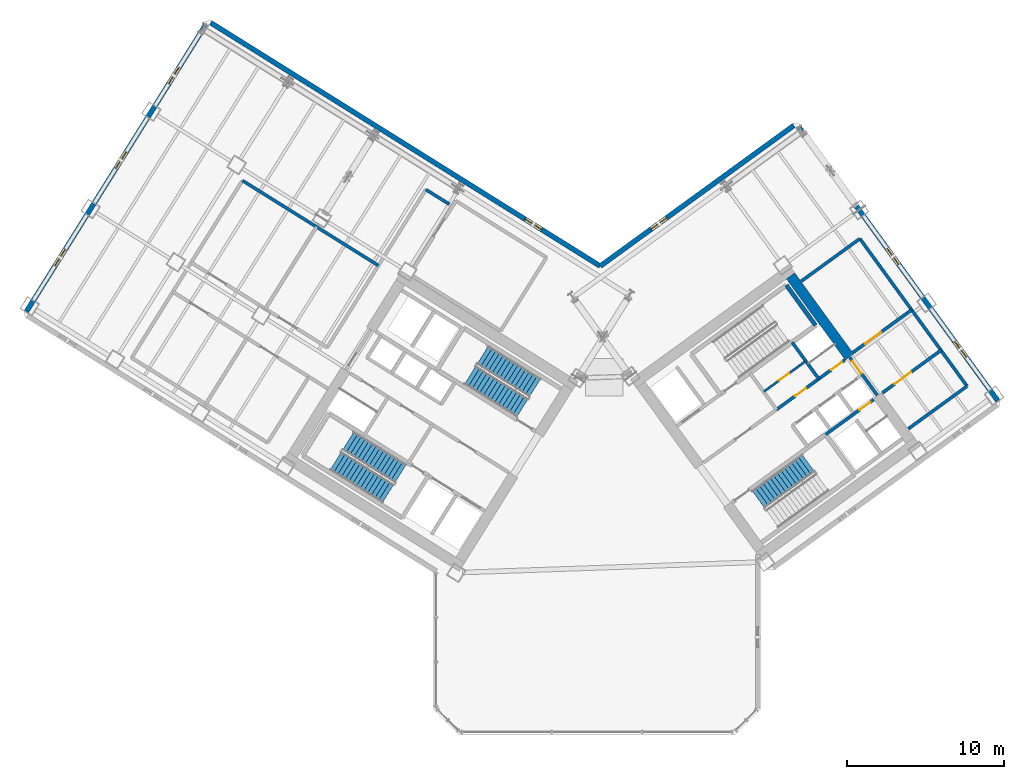
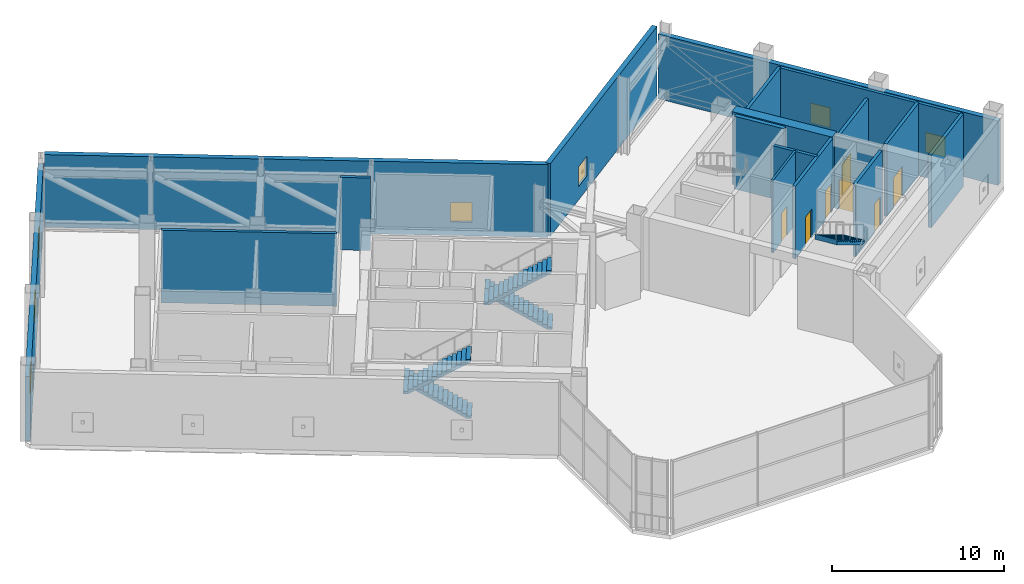
# One storey, part 16 of 21: 18 walls, 7 doors, 7 windows, 5 stair flights, 14 openings, 3 elements without a shape of their own.
"""IFC4 building model written with IfcOpenShell, lengths in metres."""

from ifc_helpers import new_model, si_unit, direction, frame, frame_2d, origin, place, context, subcontext, project, spatial, polyline, rectangle, outline, extrude, source, transform, mapped, material, layer, layer_set, type_object, element, fill, aggregate, save


model = new_model("IFC4")

# Units and contexts
model_context = context("Model", 3, precision=1e-05, world=origin(), true_north=direction((0.0, 1.0)))
body_context = subcontext(model_context, "Body", "Model", "MODEL_VIEW")
ifc_project = project(units=[si_unit("LENGTHUNIT", "METRE"), si_unit("AREAUNIT", "SQUARE_METRE"), si_unit("VOLUMEUNIT", "CUBIC_METRE"), si_unit("PLANEANGLEUNIT", "RADIAN"), si_unit("MASSUNIT", "GRAM", prefix="KILO")], contexts=[model_context])

# Site, building, storey
site_placement = place(None, origin())
site = spatial("IfcSite", under=ifc_project, at=site_placement, CompositionType="ELEMENT")
building_placement = place(site_placement, origin())
building = spatial("IfcBuilding", under=site, at=building_placement, Name="Tlacorven Tower", CompositionType="ELEMENT")
storey_placement = place(building_placement, frame((0.0, 0.0, 84.60009765625)))
storey = spatial("IfcBuildingStorey", under=building, at=storey_placement, Name="L21", CompositionType="ELEMENT", Elevation=84.60009765625)

# Wall
ifc_material_1 = material(Name="Concrete C60/75", Category="concrete")
ifc_layer_1 = layer(ifc_material_1, 0.64990234375)
ifc_layer_set_1 = layer_set([ifc_layer_1], Name="Concrete C60/75")
wall_type_1 = type_object("IfcWallType", Name="WL-COR-650", PredefinedType="SHEAR", material=ifc_layer_set_1)
wall_1_placement = place(storey_placement, frame((58.06396484375, 25.8134765625, 0.0), z_axis=(0.0, 0.0, 1.0), x_axis=(-0.58777996584, 0.809020835181, 0.0)))
element("IfcWall", 1, at=wall_1_placement, inside=storey, type_object=wall_type_1, Name="L21 E core end wall E2.2", PredefinedType="SHEAR", context=body_context, shape_type="SweptSolid", body=[
    extrude(rectangle(XDim=6.375, YDim=0.64990234375, at=frame_2d((3.1875, 0.0))), origin(), (0.0, 0.0, 1.0), 5.14990234375),
])

# Wall, openings, windows
ifc_material_2 = material(Name="Precast concrete C45/55", Category="concrete")
ifc_layer_2 = layer(ifc_material_2, 0.320068359375)
ifc_layer_set_2 = layer_set([ifc_layer_2], Name="Precast concrete C45/55")
wall_type_2 = type_object("IfcWallType", Name="WL-EXT-320", PredefinedType="STANDARD", material=ifc_layer_set_2)
wall_2_placement = place(storey_placement, frame((5.699951171875, 28.71044921875, 0.0), z_axis=(0.0, 0.0, 1.0), x_axis=(0.529923711467, 0.8480453172, 0.0)))
wall_2 = element("IfcWall", 2, at=wall_2_placement, inside=storey, type_object=wall_type_2, Name="L21 Masonry-Frame Recessed Facade Wall 2", PredefinedType="STANDARD", context=body_context, shape_type="SweptSolid", body=[
    extrude(rectangle(XDim=21.58740234375, YDim=0.320068359375, at=frame_2d((10.793701171875, 0.0))), origin(), (0.0, 0.0, 1.0), 4.574951171875),
])
opening_1_placement = place(wall_2_placement, frame((3.418701171875, 0.0, 0.949951171875)))
opening_1 = element("IfcOpeningElement", 3, at=opening_1_placement, cuts=wall_2, Name="Opening WN20", PredefinedType="OPENING", context=body_context, shape_type="SweptSolid", body=[
    extrude(rectangle(XDim=1.25, YDim=1.39990234375, at=frame_2d((0.625, 0.699951171875))), frame((0.0, 0.169921875, 0.0), z_axis=(0.0, -1.0, 0.0), x_axis=(1.0, 0.0, 0.0)), (0.0, 0.0, 1.0), 0.340087890625),
])
opening_2_placement = place(wall_2_placement, frame((10.71875, 0.0, 0.949951171875)))
opening_2 = element("IfcOpeningElement", 4, at=opening_2_placement, cuts=wall_2, Name="Opening WN20", PredefinedType="OPENING", context=body_context, shape_type="SweptSolid", body=[
    extrude(rectangle(XDim=1.25, YDim=1.39990234375, at=frame_2d((0.625, 0.699951171875))), frame((0.0, 0.169921875, 0.0), z_axis=(0.0, -1.0, 0.0), x_axis=(1.0, 0.0, 0.0)), (0.0, 0.0, 1.0), 0.340087890625),
])
opening_3_placement = place(wall_2_placement, frame((17.068603515625, 0.0, 0.949951171875)))
opening_3 = element("IfcOpeningElement", 5, at=opening_3_placement, cuts=wall_2, Name="Opening WN20", PredefinedType="OPENING", context=body_context, shape_type="SweptSolid", body=[
    extrude(rectangle(XDim=1.25, YDim=1.39990234375, at=frame_2d((0.625, 0.699951171875))), frame((0.0, 0.169921875, 0.0), z_axis=(0.0, -1.0, 0.0), x_axis=(1.0, 0.0, 0.0)), (0.0, 0.0, 1.0), 0.340087890625),
])
ifc_material_3 = material(Name="Dark solar low-E double glazing in anodised aluminium frame", Category="aluminium")
window_type = type_object("IfcWindowType", Name="WN-CRN-1250X1500", PartitioningType="SINGLE_PANEL", PredefinedType="WINDOW", material=ifc_material_3)
shared_shape_1 = source(origin(), body_context, "Body", "SweptSolid", [
    extrude(rectangle(XDim=1.25, YDim=1.39990234375, at=frame_2d((0.625, 0.699951171875))), frame((0.0, 0.030029296875, 0.0), z_axis=(0.0, -1.0, 0.0), x_axis=(1.0, 0.0, 0.0)), (0.0, 0.0, 1.0), 0.06005859375),
])
window_1_placement = place(opening_1_placement, origin())
window_1 = element("IfcWindow", 6, at=window_1_placement, inside=storey, type_object=window_type, Name="L21 Acoustic Plant Facade Window 2.1", OverallHeight=1.39990234375, OverallWidth=1.25, PartitioningType="SINGLE_PANEL", PredefinedType="WINDOW", context=body_context, shape_type="MappedRepresentation", body=[
    mapped(shared_shape_1, transform((0.0, 0.0, 0.0), scale=1.0)),
])
fill(opening_1, window_1)
window_2_placement = place(opening_2_placement, origin())
window_2 = element("IfcWindow", 7, at=window_2_placement, inside=storey, type_object=window_type, Name="L21 Acoustic Plant Facade Window 2.2", OverallHeight=1.39990234375, OverallWidth=1.25, PartitioningType="SINGLE_PANEL", PredefinedType="WINDOW", context=body_context, shape_type="MappedRepresentation", body=[
    mapped(shared_shape_1, transform((0.0, 0.0, 0.0), scale=1.0)),
])
fill(opening_2, window_2)
window_3_placement = place(opening_3_placement, origin())
window_3 = element("IfcWindow", 8, at=window_3_placement, inside=storey, type_object=window_type, Name="L21 Acoustic Plant Facade Window 2.3", OverallHeight=1.39990234375, OverallWidth=1.25, PartitioningType="SINGLE_PANEL", PredefinedType="WINDOW", context=body_context, shape_type="MappedRepresentation", body=[
    mapped(shared_shape_1, transform((0.0, 0.0, 0.0), scale=1.0)),
])
fill(opening_3, window_3)

# Wall, opening, window
wall_3_placement = place(storey_placement, frame((17.423828125, 47.083251953125, 0.0), z_axis=(0.0, 0.0, 1.0), x_axis=(0.848049927979, -0.529916332693, 0.0)))
wall_3 = element("IfcWall", 9, at=wall_3_placement, inside=storey, type_object=wall_type_2, Name="L21 Masonry-Frame Recessed Facade Wall 3", PredefinedType="STANDARD", context=body_context, shape_type="SweptSolid", body=[
    extrude(rectangle(XDim=29.22314453125, YDim=0.320068359375, at=frame_2d((14.611572265625, 0.0))), origin(), (0.0, 0.0, 1.0), 5.14990234375),
])
opening_4_placement = place(wall_3_placement, frame((23.578857421875, 0.0, 0.949951171875)))
opening_4 = element("IfcOpeningElement", 10, at=opening_4_placement, cuts=wall_3, Name="Opening WN20", PredefinedType="OPENING", context=body_context, shape_type="SweptSolid", body=[
    extrude(rectangle(XDim=1.25, YDim=1.39990234375, at=frame_2d((0.625, 0.699951171875))), frame((0.0, 0.169921875, 0.0), z_axis=(0.0, -1.0, 0.0), x_axis=(1.0, 0.0, 0.0)), (0.0, 0.0, 1.0), 0.340087890625),
])
window_4_placement = place(opening_4_placement, origin())
window_4 = element("IfcWindow", 11, at=window_4_placement, inside=storey, type_object=window_type, Name="L21 Acoustic Plant Facade Window 3.1", OverallHeight=1.39990234375, OverallWidth=1.25, PartitioningType="SINGLE_PANEL", PredefinedType="WINDOW", context=body_context, shape_type="MappedRepresentation", body=[
    mapped(shared_shape_1, transform((0.0, 0.0, 0.0), scale=1.0)),
])
fill(opening_4, window_4)

wall_4_placement = place(storey_placement, frame((42.20654296875, 31.597412109375, 0.0), z_axis=(0.0, 0.0, 1.0), x_axis=(0.809020333377, 0.587780656523, 0.0)))
wall_4 = element("IfcWall", 12, at=wall_4_placement, inside=storey, type_object=wall_type_2, Name="L21 Masonry-Frame Recessed Facade Wall 4", PredefinedType="STANDARD", context=body_context, shape_type="SweptSolid", body=[
    extrude(rectangle(XDim=15.222900390625, YDim=0.320068359375, at=frame_2d((7.611328125, 0.0))), origin(), (0.0, 0.0, 1.0), 5.14990234375),
])
opening_5_placement = place(wall_4_placement, frame((3.992919921875, 0.0, 0.949951171875)))
opening_5 = element("IfcOpeningElement", 13, at=opening_5_placement, cuts=wall_4, Name="Opening WN20", PredefinedType="OPENING", context=body_context, shape_type="SweptSolid", body=[
    extrude(rectangle(XDim=1.25, YDim=1.39990234375, at=frame_2d((0.625, 0.699951171875))), frame((0.0, 0.169921875, 0.0), z_axis=(0.0, -1.0, 0.0), x_axis=(1.0, 0.0, 0.0)), (0.0, 0.0, 1.0), 0.340087890625),
])
window_5_placement = place(opening_5_placement, origin())
window_5 = element("IfcWindow", 14, at=window_5_placement, inside=storey, type_object=window_type, Name="L21 Acoustic Plant Facade Window 4.1", OverallHeight=1.39990234375, OverallWidth=1.25, PartitioningType="SINGLE_PANEL", PredefinedType="WINDOW", context=body_context, shape_type="MappedRepresentation", body=[
    mapped(shared_shape_1, transform((0.0, 0.0, 0.0), scale=1.0)),
])
fill(opening_5, window_5)

# Wall, openings, windows
wall_5_placement = place(storey_placement, frame((54.810302734375, 40.49951171875, 0.0), z_axis=(0.0, 0.0, 1.0), x_axis=(0.587783625747, -0.809018176127, 0.0)))
wall_5 = element("IfcWall", 15, at=wall_5_placement, inside=storey, type_object=wall_type_2, Name="L21 Masonry-Frame Recessed Facade Wall 5", PredefinedType="STANDARD", context=body_context, shape_type="SweptSolid", body=[
    extrude(rectangle(XDim=21.58740234375, YDim=0.320068359375, at=frame_2d((10.793701171875, 0.0))), origin(), (0.0, 0.0, 1.0), 4.574951171875),
])
opening_6_placement = place(wall_5_placement, frame((9.61865234375, 0.0, 0.949951171875)))
opening_6 = element("IfcOpeningElement", 16, at=opening_6_placement, cuts=wall_5, Name="Opening WN20", PredefinedType="OPENING", context=body_context, shape_type="SweptSolid", body=[
    extrude(rectangle(XDim=1.25, YDim=1.39990234375, at=frame_2d((0.625, 0.699951171875))), frame((0.0, 0.169921875, 0.0), z_axis=(0.0, -1.0, 0.0), x_axis=(1.0, 0.0, 0.0)), (0.0, 0.0, 1.0), 0.340087890625),
])
opening_7_placement = place(wall_5_placement, frame((16.918701171875, 0.0, 0.949951171875)))
opening_7 = element("IfcOpeningElement", 17, at=opening_7_placement, cuts=wall_5, Name="Opening WN20", PredefinedType="OPENING", context=body_context, shape_type="SweptSolid", body=[
    extrude(rectangle(XDim=1.25, YDim=1.39990234375, at=frame_2d((0.625, 0.699951171875))), frame((0.0, 0.169921875, 0.0), z_axis=(0.0, -1.0, 0.0), x_axis=(1.0, 0.0, 0.0)), (0.0, 0.0, 1.0), 0.340087890625),
])
window_6_placement = place(opening_6_placement, origin())
window_6 = element("IfcWindow", 18, at=window_6_placement, inside=storey, type_object=window_type, Name="L21 Acoustic Plant Facade Window 5.1", OverallHeight=1.39990234375, OverallWidth=1.25, PartitioningType="SINGLE_PANEL", PredefinedType="WINDOW", context=body_context, shape_type="MappedRepresentation", body=[
    mapped(shared_shape_1, transform((0.0, 0.0, 0.0), scale=1.0)),
])
fill(opening_6, window_6)
window_7_placement = place(opening_7_placement, origin())
window_7 = element("IfcWindow", 19, at=window_7_placement, inside=storey, type_object=window_type, Name="L21 Acoustic Plant Facade Window 5.2", OverallHeight=1.39990234375, OverallWidth=1.25, PartitioningType="SINGLE_PANEL", PredefinedType="WINDOW", context=body_context, shape_type="MappedRepresentation", body=[
    mapped(shared_shape_1, transform((0.0, 0.0, 0.0), scale=1.0)),
])
fill(opening_7, window_7)

# Wall, opening, door
ifc_material_4 = material(Name="Moisture-resistant gypsum plumbing wall", Category="gypsum")
ifc_layer_3 = layer(ifc_material_4, 0.139892578125)
ifc_layer_set_3 = layer_set([ifc_layer_3], Name="Moisture-resistant gypsum plumbing wall")
wall_type_3 = type_object("IfcWallType", Name="WL-PLM-140", PredefinedType="PLUMBINGWALL", material=ifc_layer_set_3)
wall_6_placement = place(storey_placement, frame((52.617919921875, 23.612060546875, 0.0), z_axis=(0.0, 0.0, 1.0), x_axis=(0.809009587469, 0.587795446889, 0.0)))
wall_6 = element("IfcWall", 20, at=wall_6_placement, inside=storey, type_object=wall_type_3, Name="L21 partition 45", PredefinedType="PLUMBINGWALL", context=body_context, shape_type="SweptSolid", body=[
    extrude(rectangle(XDim=3.280029296875, YDim=0.139892578125, at=frame_2d((1.64013671875, 0.0))), origin(), (0.0, 0.0, 1.0), 5.139892578125),
])
opening_8_placement = place(wall_6_placement, frame((1.199951171875, 0.0, 0.0)))
opening_8 = element("IfcOpeningElement", 21, at=opening_8_placement, cuts=wall_6, Name="Opening D22", PredefinedType="OPENING", context=body_context, shape_type="SweptSolid", body=[
    extrude(rectangle(XDim=0.780029296875, YDim=2.050048828125, at=frame_2d((0.39013671875, 1.02490234375))), frame((0.0, 0.080078125, 0.0), z_axis=(0.0, -1.0, 0.0), x_axis=(1.0, 0.0, 0.0)), (0.0, 0.0, 1.0), 0.159912109375),
])
ifc_material_5 = material(Name="Powder-coated aluminium and timber door", Category="wood")
door_type_1 = type_object("IfcDoorType", Name="DR-INT-WET-0780", OperationType="NOTDEFINED", PredefinedType="DOOR", material=ifc_material_5)
shared_shape_2 = source(origin(), body_context, "Body", "SweptSolid", [
    extrude(rectangle(XDim=0.780029296875, YDim=2.050048828125, at=frame_2d((0.39013671875, 1.02490234375))), frame((0.0, 0.02490234375, 0.0), z_axis=(0.0, -1.0, 0.0), x_axis=(1.0, 0.0, 0.0)), (0.0, 0.0, 1.0), 0.050048828125),
])
door_1_placement = place(opening_8_placement, origin())
door_1 = element("IfcDoor", 22, at=door_1_placement, inside=storey, type_object=door_type_1, Name="L21 door 018", OperationType="SINGLE_SWING_RIGHT", OverallHeight=2.050048828125, OverallWidth=0.780029296875, PredefinedType="DOOR", context=body_context, shape_type="MappedRepresentation", body=[
    mapped(shared_shape_2, transform((0.0, 0.0, 0.0), scale=1.0)),
])
fill(opening_8, door_1)

ifc_material_6 = material(Name="Concrete C40/50", Category="concrete")
ifc_layer_4 = layer(ifc_material_6, 0.199951171875)
ifc_layer_set_4 = layer_set([ifc_layer_4], Name="Concrete C40/50")
wall_type_4 = type_object("IfcWallType", Name="WL-SHF-200", PredefinedType="STANDARD", material=ifc_layer_set_4)
wall_7_placement = place(storey_placement, frame((56.552978515625, 20.884033203125, 0.0), z_axis=(0.0, 0.0, 1.0), x_axis=(0.809035789462, 0.587759382205, 0.0)))
wall_7 = element("IfcWall", 23, at=wall_7_placement, inside=storey, type_object=wall_type_4, Name="L21 Core E South Lift Shaft Wall", PredefinedType="STANDARD", context=body_context, shape_type="SweptSolid", body=[
    extrude(rectangle(XDim=3.767822265625, YDim=0.199951171875, at=frame_2d((1.8837890625, 0.0))), origin(), (0.0, 0.0, 1.0), 5.139892578125),
])
opening_9_placement = place(wall_7_placement, frame((2.64990234375, 0.0, 0.0)))
opening_9 = element("IfcOpeningElement", 24, at=opening_9_placement, cuts=wall_7, Name="Opening D19", PredefinedType="OPENING", context=body_context, shape_type="SweptSolid", body=[
    extrude(rectangle(XDim=0.860107421875, YDim=2.050048828125, at=frame_2d((0.43017578125, 1.02490234375))), frame((0.0, 0.10986328125, 0.0), z_axis=(0.0, -1.0, 0.0), x_axis=(1.0, 0.0, 0.0)), (0.0, 0.0, 1.0), 0.219970703125),
])
ifc_material_7 = material(Name="Fire-rated steel door assembly", Category="steel")
door_type_2 = type_object("IfcDoorType", Name="DR-RSR-FD60-0860", OperationType="NOTDEFINED", PredefinedType="DOOR", material=ifc_material_7)
shared_shape_3 = source(origin(), body_context, "Body", "SweptSolid", [
    extrude(rectangle(XDim=0.860107421875, YDim=2.050048828125, at=frame_2d((0.43017578125, 1.02490234375))), frame((0.0, 0.02490234375, 0.0), z_axis=(0.0, -1.0, 0.0), x_axis=(1.0, 0.0, 0.0)), (0.0, 0.0, 1.0), 0.050048828125),
])
door_2_placement = place(opening_9_placement, origin())
door_2 = element("IfcDoor", 25, at=door_2_placement, inside=storey, type_object=door_type_2, Name="L21 Smoke Extract Riser Access Door", OperationType="SINGLE_SWING_LEFT", OverallHeight=2.050048828125, OverallWidth=0.860107421875, PredefinedType="DOOR", context=body_context, shape_type="MappedRepresentation", body=[
    mapped(shared_shape_3, transform((0.0, 0.0, 0.0), scale=1.0)),
])
fill(opening_9, door_2)

# Wall
wall_8_placement = place(storey_placement, frame((56.110595703125, 24.4189453125, 0.0), z_axis=(0.0, 0.0, 1.0), x_axis=(-0.58777848983, 0.809021907548, 0.0)))
element("IfcWall", 26, at=wall_8_placement, inside=storey, type_object=wall_type_4, Name="L21 partition 43", PredefinedType="STANDARD", context=body_context, shape_type="SweptSolid", body=[
    extrude(rectangle(XDim=2.880126953125, YDim=0.199951171875, at=frame_2d((1.43994140625, 0.0))), origin(), (0.0, 0.0, 1.0), 5.139892578125),
])

# Wall, openings, doors
wall_9_placement = place(storey_placement, frame((53.424560546875, 22.467529296875, 0.0), z_axis=(0.0, 0.0, 1.0), x_axis=(0.80902705128, 0.587771409902, 0.0)))
wall_9 = element("IfcWall", 27, at=wall_9_placement, inside=storey, type_object=wall_type_4, Name="L21 Core E North Service Wall", PredefinedType="STANDARD", context=body_context, shape_type="SweptSolid", body=[
    extrude(rectangle(XDim=5.3681640625, YDim=0.199951171875, at=frame_2d((2.68408203125, 0.0))), origin(), (0.0, 0.0, 1.0), 5.139892578125),
])
opening_10_placement = place(wall_9_placement, frame((4.280029296875, 0.0, 0.0)))
opening_10 = element("IfcOpeningElement", 28, at=opening_10_placement, cuts=wall_9, Name="Opening D19", PredefinedType="OPENING", context=body_context, shape_type="SweptSolid", body=[
    extrude(rectangle(XDim=0.860107421875, YDim=2.050048828125, at=frame_2d((0.43017578125, 1.02490234375))), frame((0.0, 0.10986328125, 0.0), z_axis=(0.0, -1.0, 0.0), x_axis=(1.0, 0.0, 0.0)), (0.0, 0.0, 1.0), 0.219970703125),
])
opening_11_placement = place(wall_9_placement, frame((1.449951171875, 0.0, 0.0)))
opening_11 = element("IfcOpeningElement", 29, at=opening_11_placement, cuts=wall_9, Name="Opening D19", PredefinedType="OPENING", context=body_context, shape_type="SweptSolid", body=[
    extrude(rectangle(XDim=0.860107421875, YDim=2.050048828125, at=frame_2d((0.43017578125, 1.02490234375))), frame((0.0, 0.10986328125, 0.0), z_axis=(0.0, -1.0, 0.0), x_axis=(1.0, 0.0, 0.0)), (0.0, 0.0, 1.0), 0.219970703125),
])
door_3_placement = place(opening_10_placement, frame((0.860107421875, 0.0, 0.0), z_axis=(0.0, 0.0, 1.0), x_axis=(-1.0, 0.0, 0.0)))
door_3 = element("IfcDoor", 30, at=door_3_placement, inside=storey, type_object=door_type_2, Name="L21 Electrical Riser Access Door E", OperationType="SINGLE_SWING_RIGHT", OverallHeight=2.050048828125, OverallWidth=0.860107421875, PredefinedType="DOOR", context=body_context, shape_type="MappedRepresentation", body=[
    mapped(shared_shape_3, transform((0.0, 0.0, 0.0), scale=1.0)),
])
fill(opening_10, door_3)
door_4_placement = place(opening_11_placement, frame((0.860107421875, 0.0, 0.0), z_axis=(0.0, 0.0, 1.0), x_axis=(-1.0, 0.0, 0.0)))
door_4 = element("IfcDoor", 31, at=door_4_placement, inside=storey, type_object=door_type_2, Name="L21 Cleaner Store Access Door E", OperationType="SINGLE_SWING_LEFT", OverallHeight=2.050048828125, OverallWidth=0.860107421875, PredefinedType="DOOR", context=body_context, shape_type="MappedRepresentation", body=[
    mapped(shared_shape_3, transform((0.0, 0.0, 0.0), scale=1.0)),
])
fill(opening_11, door_4)

# Walls
wall_10_placement = place(storey_placement, frame((32.60400390625, 35.533935546875, 0.0), z_axis=(0.0, 0.0, 1.0), x_axis=(-0.848037269931, 0.529936589422, 0.0)))
element("IfcWall", 32, at=wall_10_placement, inside=storey, type_object=wall_type_4, Name="L21 partition 54", PredefinedType="STANDARD", context=body_context, shape_type="SweptSolid", body=[
    extrude(rectangle(XDim=1.759765625, YDim=0.199951171875, at=frame_2d((0.8798828125, 0.0))), origin(), (0.0, 0.0, 1.0), 5.139892578125),
])
wall_11_placement = place(storey_placement, frame((28.0908203125, 31.6328125, 0.0), z_axis=(0.0, 0.0, 1.0), x_axis=(-0.848049399204, 0.529917178916, 0.0)))
element("IfcWall", 33, at=wall_11_placement, inside=storey, type_object=wall_type_4, Name="L21 partition 60", PredefinedType="STANDARD", context=body_context, shape_type="SweptSolid", body=[
    extrude(rectangle(XDim=10.19970703125, YDim=0.199951171875, at=frame_2d((5.099853515625, 0.0))), origin(), (0.0, 0.0, 1.0), 5.139892578125),
])

# Wall, opening, door
wall_12_placement = place(storey_placement, frame((59.827392578125, 23.386474609375, 0.0), z_axis=(0.0, 0.0, 1.0), x_axis=(-0.587803840107, 0.809003489211, 0.0)))
wall_12 = element("IfcWall", 34, at=wall_12_placement, inside=storey, type_object=wall_type_4, Name="L21 partition 63", PredefinedType="STANDARD", context=body_context, shape_type="SweptSolid", body=[
    extrude(rectangle(XDim=2.960205078125, YDim=0.199951171875, at=frame_2d((1.47998046875, 0.0))), origin(), (0.0, 0.0, 1.0), 5.139892578125),
])
opening_12_placement = place(wall_12_placement, frame((1.679931640625, 0.0, 0.0)))
opening_12 = element("IfcOpeningElement", 35, at=opening_12_placement, cuts=wall_12, Name="Opening D11", PredefinedType="OPENING", context=body_context, shape_type="SweptSolid", body=[
    extrude(rectangle(XDim=1.0, YDim=2.10009765625, at=frame_2d((0.5, 1.050048828125))), frame((0.0, 0.10986328125, 0.0), z_axis=(0.0, -1.0, 0.0), x_axis=(1.0, 0.0, 0.0)), (0.0, 0.0, 1.0), 0.219970703125),
])
door_type_3 = type_object("IfcDoorType", Name="DR-FLT-FD60-1000", OperationType="NOTDEFINED", PredefinedType="DOOR", material=ifc_material_7)
shared_shape_4 = source(origin(), body_context, "Body", "SweptSolid", [
    extrude(rectangle(XDim=1.0, YDim=2.10009765625, at=frame_2d((0.5, 1.050048828125))), frame((0.0, 0.02490234375, 0.0), z_axis=(0.0, -1.0, 0.0), x_axis=(1.0, 0.0, 0.0)), (0.0, 0.0, 1.0), 0.050048828125),
])
door_5_placement = place(opening_12_placement, origin())
door_5 = element("IfcDoor", 36, at=door_5_placement, inside=storey, type_object=door_type_3, Name="L21 door 025", OperationType="SINGLE_SWING_RIGHT", OverallHeight=2.10009765625, OverallWidth=1.0, PredefinedType="DOOR", context=body_context, shape_type="MappedRepresentation", body=[
    mapped(shared_shape_4, transform((0.0, 0.0, 0.0), scale=1.0)),
])
fill(opening_12, door_5)

# Walls
for number, where, z_axis, x_axis, name in (
    (37, (61.816650390625, 21.247314453125, 0.0), (0.0, 0.0, 1.0), (0.80902466346, 0.587774696557, 0.0), "L21 partition 64"),
    (38, (54.998291015625, 30.6318359375, 0.0), (0.0, 0.0, 1.0), (0.80902466346, 0.587774696557, 0.0), "L21 partition 65"),
):
    element("IfcWall", number, at=place(storey_placement, frame(where, z_axis=z_axis, x_axis=x_axis)), inside=storey, type_object=wall_type_4, Name=name, PredefinedType="STANDARD", context=body_context, shape_type="SweptSolid", body=[
        extrude(rectangle(XDim=4.608154296875, YDim=0.199951171875, at=frame_2d((2.30419921875, 0.0))), origin(), (0.0, 0.0, 1.0), 5.139892578125),
    ])
wall_13_placement = place(storey_placement, frame((65.544677734375, 23.955810546875, 0.0), z_axis=(0.0, 0.0, 1.0), x_axis=(-0.587791199948, 0.809012673117, 0.0)))
element("IfcWall", 39, at=wall_13_placement, inside=storey, type_object=wall_type_4, Name="L21 partition 66", PredefinedType="STANDARD", context=body_context, shape_type="SweptSolid", body=[
    extrude(rectangle(XDim=11.599853515625, YDim=0.199951171875, at=frame_2d((5.7998046875, 0.0))), origin(), (0.0, 0.0, 1.0), 5.139892578125),
])

# Wall, opening, door
wall_14_placement = place(storey_placement, frame((58.2900390625, 26.101318359375, 0.0), z_axis=(0.0, 0.0, 1.0), x_axis=(0.80902466346, 0.587774696557, 0.0)))
wall_14 = element("IfcWall", 40, at=wall_14_placement, inside=storey, type_object=wall_type_4, Name="L21 partition 67", PredefinedType="STANDARD", context=body_context, shape_type="SweptSolid", body=[
    extrude(rectangle(XDim=4.608154296875, YDim=0.199951171875, at=frame_2d((2.30419921875, 0.0))), origin(), (0.0, 0.0, 1.0), 4.574951171875),
])
opening_13_placement = place(wall_14_placement, frame((0.947998046875, 0.0, 0.0)))
opening_13 = element("IfcOpeningElement", 41, at=opening_13_placement, cuts=wall_14, Name="Opening D08", PredefinedType="OPENING", context=body_context, shape_type="SweptSolid", body=[
    extrude(rectangle(XDim=1.25, YDim=2.14990234375, at=frame_2d((0.625, 1.074951171875))), frame((0.0, 0.10986328125, 0.0), z_axis=(0.0, -1.0, 0.0), x_axis=(1.0, 0.0, 0.0)), (0.0, 0.0, 1.0), 0.219970703125),
])
door_type_4 = type_object("IfcDoorType", Name="DR-STR-FD90-1250", OperationType="NOTDEFINED", PredefinedType="DOOR", material=ifc_material_7)
shared_shape_5 = source(origin(), body_context, "Body", "SweptSolid", [
    extrude(rectangle(XDim=1.25, YDim=2.14990234375, at=frame_2d((0.625, 1.074951171875))), frame((0.0, 0.02490234375, 0.0), z_axis=(0.0, -1.0, 0.0), x_axis=(1.0, 0.0, 0.0)), (0.0, 0.0, 1.0), 0.050048828125),
])
door_6_placement = place(opening_13_placement, origin())
door_6 = element("IfcDoor", 42, at=door_6_placement, inside=storey, type_object=door_type_4, Name="L21 door 026", OperationType="SINGLE_SWING_LEFT", OverallHeight=2.14990234375, OverallWidth=1.25, PredefinedType="DOOR", context=body_context, shape_type="MappedRepresentation", body=[
    mapped(shared_shape_5, transform((0.0, 0.0, 0.0), scale=1.0)),
])
fill(opening_13, door_6)

wall_15_placement = place(storey_placement, frame((60.1591796875, 23.528564453125, 0.0), z_axis=(0.0, 0.0, 1.0), x_axis=(0.808999469603, 0.587809372315, 0.0)))
wall_15 = element("IfcWall", 43, at=wall_15_placement, inside=storey, type_object=wall_type_4, Name="L21 partition 68", PredefinedType="STANDARD", context=body_context, shape_type="SweptSolid", body=[
    extrude(rectangle(XDim=4.608154296875, YDim=0.199951171875, at=frame_2d((2.30419921875, 0.0))), origin(), (0.0, 0.0, 1.0), 5.139892578125),
])
opening_14_placement = place(wall_15_placement, frame((0.947998046875, 0.0, 0.0)))
opening_14 = element("IfcOpeningElement", 44, at=opening_14_placement, cuts=wall_15, Name="Opening D18", PredefinedType="OPENING", context=body_context, shape_type="SweptSolid", body=[
    extrude(rectangle(XDim=1.300048828125, YDim=2.14990234375, at=frame_2d((0.64990234375, 1.074951171875))), frame((0.0, 0.10986328125, 0.0), z_axis=(0.0, -1.0, 0.0), x_axis=(1.0, 0.0, 0.0)), (0.0, 0.0, 1.0), 0.219970703125),
])
door_type_5 = type_object("IfcDoorType", Name="DR-MEP-FD60-1300", OperationType="DOUBLE_DOOR_SINGLE_SWING", PredefinedType="DOOR", material=ifc_material_7)
shared_shape_6 = source(origin(), body_context, "Body", "SweptSolid", [
    extrude(rectangle(XDim=1.300048828125, YDim=2.14990234375, at=frame_2d((0.64990234375, 1.074951171875))), frame((0.0, 0.02490234375, 0.0), z_axis=(0.0, -1.0, 0.0), x_axis=(1.0, 0.0, 0.0)), (0.0, 0.0, 1.0), 0.050048828125),
])
door_7_placement = place(opening_14_placement, frame((1.300048828125, 0.0, 0.0), z_axis=(0.0, 0.0, 1.0), x_axis=(-1.0, 0.0, 0.0)))
door_7 = element("IfcDoor", 45, at=door_7_placement, inside=storey, type_object=door_type_5, Name="L21 door 027", OperationType="DOUBLE_DOOR_SINGLE_SWING", OverallHeight=2.14990234375, OverallWidth=1.300048828125, PredefinedType="DOOR", context=body_context, shape_type="MappedRepresentation", body=[
    mapped(shared_shape_6, transform((0.0, 0.0, 0.0), scale=1.0)),
])
fill(opening_14, door_7)

# Wall
ifc_material_8 = material(Name="Concrete C50/60", Category="concrete")
ifc_layer_5 = layer(ifc_material_8, 0.260009765625)
ifc_layer_set_5 = layer_set([ifc_layer_5], Name="Concrete C50/60")
wall_type_5 = type_object("IfcWallType", Name="WL-STW-260", PredefinedType="SHEAR", material=ifc_layer_set_5)
wall_16_placement = place(storey_placement, frame((55.906494140625, 27.83056640625, 0.0), z_axis=(0.0, 0.0, 1.0), x_axis=(-0.587804123638, 0.809003283204, 0.0)))
element("IfcWall", 46, at=wall_16_placement, inside=storey, type_object=wall_type_5, Name="L21 Stair E1 East Shear Wall", PredefinedType="SHEAR", context=body_context, shape_type="SweptSolid", body=[
    extrude(rectangle(XDim=3.159912109375, YDim=0.260009765625, at=frame_2d((1.580078125, 0.0))), origin(), (0.0, 0.0, 1.0), 5.14990234375),
])

# Stair, stair flights
stair_type = type_object("IfcStairType", Name="ST-CORE-DLG", PredefinedType="HALF_TURN_STAIR", material=ifc_material_6)
stair_1_placement = place(storey_placement, origin())
stair_1 = element("IfcStair", 47, at=stair_1_placement, inside=storey, type_object=stair_type, Name="L21 Protected Exit Stair West 1", PredefinedType="HALF_TURN_STAIR")
stair_flight_type = type_object("IfcStairFlightType", Name="SFL-RC-1380", PredefinedType="STRAIGHT", material=ifc_material_6)
shared_shape_7 = source(origin(), body_context, "Body", "SweptSolid", [
    extrude(outline(polyline([(-0.0029296875, -0.0029296875), (-0.0029296875, 0.179931640625), (0.280029296875, 0.179931640625), (0.280029296875, 0.360107421875), (0.56005859375, 0.360107421875), (0.56005859375, 0.5400390625), (0.840087890625, 0.5400390625), (0.840087890625, 0.719970703125), (1.1201171875, 0.719970703125), (1.1201171875, 0.89990234375), (1.39990234375, 0.89990234375), (1.39990234375, 1.080078125), (1.679931640625, 1.080078125), (1.679931640625, 1.260009765625), (1.9599609375, 1.260009765625), (1.9599609375, 1.43994140625), (2.239990234375, 1.43994140625), (2.239990234375, 1.6201171875), (2.52001953125, 1.6201171875), (2.52001953125, 1.800048828125), (2.800048828125, 1.800048828125), (2.800048828125, 1.97998046875), (3.080078125, 1.97998046875), (3.080078125, 2.159912109375), (3.360107421875, 2.159912109375), (3.360107421875, 2.340087890625), (3.639892578125, 2.340087890625), (3.639892578125, 2.52001953125), (3.919921875, 2.52001953125), (3.919921875, 2.699951171875), (3.923095703125, 2.699951171875), (3.923095703125, 2.329833984375), (3.919921875, 2.329833984375), (0.295654296875, 0.0), (0.295654296875, -0.0029296875), (-0.0029296875, -0.0029296875)])), frame((0.0, 0.68994140625, 0.0), z_axis=(0.0, -1.0, 0.0), x_axis=(1.0, 0.0, 0.0)), (0.0, 0.0, 1.0), 1.3798828125),
])
stair_flight_1_placement = place(storey_placement, frame((29.499755859375, 18.39453125, 0.0), z_axis=(0.0, 0.0, 1.0), x_axis=(-0.848048096156, 0.529919264233, 0.0)))
stair_flight_1 = element("IfcStairFlight", 48, at=stair_flight_1_placement, type_object=stair_flight_type, Name="ST-W1 flight 1", NumberOfRisers=15, NumberOfTreads=14, PredefinedType="STRAIGHT", RiserHeight=0.18, TreadLength=0.28, context=body_context, shape_type="MappedRepresentation", body=[
    mapped(shared_shape_7, transform((0.0, 0.0, 0.0), scale=1.0)),
])
stair_flight_2_placement = place(storey_placement, frame((25.380615234375, 19.19970703125, 2.699951171875), z_axis=(0.0, 0.0, 1.0), x_axis=(0.848048096156, -0.529919264233, 0.0)))
stair_flight_2 = element("IfcStairFlight", 49, at=stair_flight_2_placement, type_object=stair_flight_type, Name="ST-W1 flight 2", NumberOfRisers=15, NumberOfTreads=14, PredefinedType="STRAIGHT", RiserHeight=0.18, TreadLength=0.28, context=body_context, shape_type="MappedRepresentation", body=[
    mapped(shared_shape_7, transform((0.0, 0.0, 0.0), scale=1.0)),
])
aggregate(stair_1, [stair_flight_1, stair_flight_2])

stair_2_placement = place(storey_placement, origin())
stair_2 = element("IfcStair", 50, at=stair_2_placement, inside=storey, type_object=stair_type, Name="L21 Protected Exit Stair West 2", PredefinedType="HALF_TURN_STAIR")
stair_flight_3_placement = place(storey_placement, frame((38.051513671875, 23.852294921875, 0.0), z_axis=(0.0, 0.0, 1.0), x_axis=(-0.848048096156, 0.529919264233, 0.0)))
stair_flight_3 = element("IfcStairFlight", 51, at=stair_flight_3_placement, type_object=stair_flight_type, Name="ST-W2 flight 1", NumberOfRisers=15, NumberOfTreads=14, PredefinedType="STRAIGHT", RiserHeight=0.18, TreadLength=0.28, context=body_context, shape_type="MappedRepresentation", body=[
    mapped(shared_shape_7, transform((0.0, 0.0, 0.0), scale=1.0)),
])
stair_flight_4_placement = place(storey_placement, frame((33.93212890625, 24.657470703125, 2.699951171875), z_axis=(0.0, 0.0, 1.0), x_axis=(0.848048096156, -0.529919264233, 0.0)))
stair_flight_4 = element("IfcStairFlight", 52, at=stair_flight_4_placement, type_object=stair_flight_type, Name="ST-W2 flight 2", NumberOfRisers=15, NumberOfTreads=14, PredefinedType="STRAIGHT", RiserHeight=0.18, TreadLength=0.28, context=body_context, shape_type="MappedRepresentation", body=[
    mapped(shared_shape_7, transform((0.0, 0.0, 0.0), scale=1.0)),
])
aggregate(stair_2, [stair_flight_3, stair_flight_4])

# Stair, stair flight
stair_3_placement = place(storey_placement, origin())
stair_3 = element("IfcStair", 53, at=stair_3_placement, inside=storey, type_object=stair_type, Name="L21 Protected Exit Stair East 2", PredefinedType="HALF_TURN_STAIR")
stair_flight_5_placement = place(storey_placement, frame((55.447021484375, 19.054443359375, 2.699951171875), z_axis=(0.0, 0.0, 1.0), x_axis=(-0.809016994375, -0.587785252292, 0.0)))
stair_flight_5 = element("IfcStairFlight", 54, at=stair_flight_5_placement, type_object=stair_flight_type, Name="ST-E2 flight 2", NumberOfRisers=15, NumberOfTreads=14, PredefinedType="STRAIGHT", RiserHeight=0.18, TreadLength=0.28, context=body_context, shape_type="MappedRepresentation", body=[
    mapped(shared_shape_7, transform((0.0, 0.0, 0.0), scale=1.0)),
])
aggregate(stair_3, [stair_flight_5])

save(model, "model.ifc")
